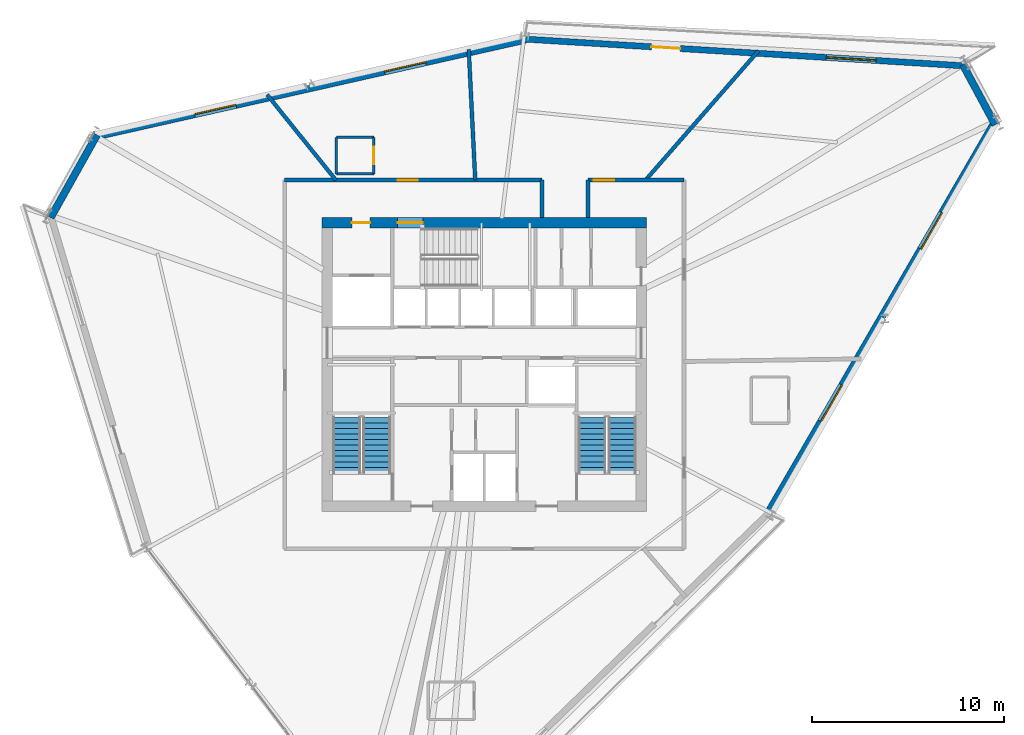
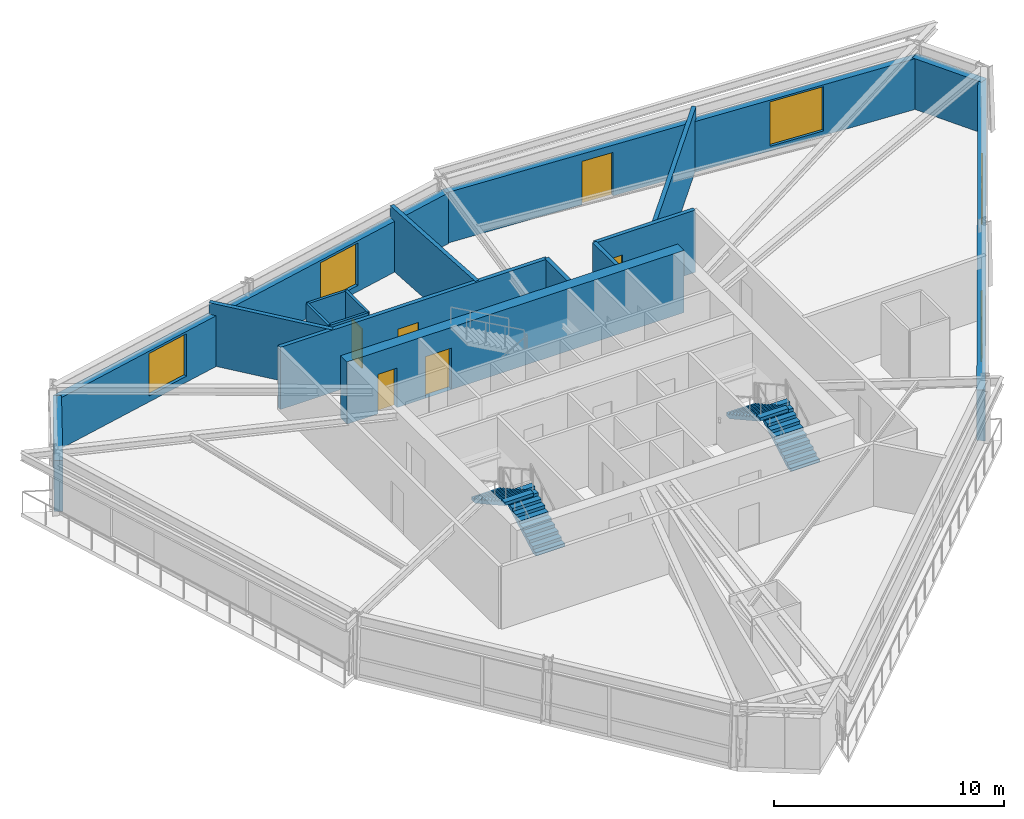
# One storey, part 10 of 14: 17 walls, 6 doors, 5 windows, 4 stair flights, 11 openings, 2 elements without a shape of their own.
"""IFC4 building model written with IfcOpenShell, lengths in metres."""

from ifc_helpers import new_model, si_unit, direction, frame, frame_2d, origin, place, context, subcontext, project, spatial, polyline, rectangle, outline, extrude, source, transform, mapped, material, layer, layer_set, type_object, type_shapes, element, fill, aggregate, save


model = new_model("IFC4")

# Units and contexts
model_context = context("Model", 3, precision=1e-05, world=origin(), true_north=direction((0.0, 1.0)))
body_context = subcontext(model_context, "Body", "Model", "MODEL_VIEW")
ifc_project = project(units=[si_unit("LENGTHUNIT", "METRE"), si_unit("AREAUNIT", "SQUARE_METRE"), si_unit("VOLUMEUNIT", "CUBIC_METRE"), si_unit("PLANEANGLEUNIT", "RADIAN"), si_unit("MASSUNIT", "GRAM", prefix="KILO")], contexts=[model_context])

# Site, building, storey
site_placement = place(None, origin())
site = spatial("IfcSite", under=ifc_project, at=site_placement, CompositionType="ELEMENT")
building_placement = place(site_placement, origin())
building = spatial("IfcBuilding", under=site, at=building_placement, Name="Olszyna Solenne Hotel", CompositionType="ELEMENT")
storey_placement = place(building_placement, frame((0.0, 0.0, 153.699951171875)))
storey = spatial("IfcBuildingStorey", under=building, at=storey_placement, Name="L40", CompositionType="ELEMENT", Elevation=153.699951171875)

# Wall, openings, doors
ifc_material_1 = material(Name="Concrete C50/60", Category="concrete")
ifc_layer_1 = layer(ifc_material_1, 0.550048828125, Name="Concrete C50/60")
ifc_layer_set_1 = layer_set([ifc_layer_1], Name="Concrete C50/60")
wall_type_1 = type_object("IfcWallType", Name="WL-CR550", PredefinedType="SHEAR", material=ifc_layer_set_1)
wall_1_placement = place(storey_placement, frame((29.550048828125, 33.97509765625, 0.0), z_axis=(0.0, 0.0, 1.0), x_axis=(1.0, 0.0, 0.0)))
wall_1 = element("IfcWall", 1, at=wall_1_placement, inside=storey, type_object=wall_type_1, Name="Core shear wall WL-CR550 CRW-L40-N", PredefinedType="SHEAR", context=body_context, shape_type="SweptSolid", body=[
    extrude(rectangle(XDim=16.89990234375, YDim=0.550048828125, at=frame_2d((8.449951171875, 0.0))), origin(), (0.0, 0.0, 1.0), 3.300048828125),
])
opening_1_placement = place(wall_1_placement, frame((1.550048828125, 0.0, 0.0)))
opening_1 = element("IfcOpeningElement", 2, at=opening_1_placement, cuts=wall_1, Name="Opening SVD-L40-01", PredefinedType="OPENING", context=body_context, shape_type="SweptSolid", body=[
    extrude(rectangle(XDim=0.949951171875, YDim=2.10009765625, at=frame_2d((0.47509765625, 1.050048828125))), frame((0.0, 0.28515625, 0.0), z_axis=(0.0, -1.0, 0.0), x_axis=(1.0, 0.0, 0.0)), (0.0, 0.0, 1.0), 0.570068359375),
])
opening_2_placement = place(wall_1_placement, frame((3.929931640625, 0.0, 0.0)))
opening_2 = element("IfcOpeningElement", 3, at=opening_2_placement, cuts=wall_1, Name="Opening STD-L40-03", PredefinedType="OPENING", context=body_context, shape_type="SweptSolid", body=[
    extrude(rectangle(XDim=1.320068359375, YDim=2.199951171875, at=frame_2d((0.66015625, 1.10009765625))), frame((0.0, 0.28515625, 0.0), z_axis=(0.0, -1.0, 0.0), x_axis=(1.0, 0.0, 0.0)), (0.0, 0.0, 1.0), 0.570068359375),
])
ifc_material_2 = material(Name="Steel S355J2", Category="steel")
door_type_1 = type_object("IfcDoorType", Name="DR-ST1", OperationType="NOTDEFINED", PredefinedType="DOOR", material=ifc_material_2)
shared_shape_1 = source(origin(), body_context, "Body", "SweptSolid", [
    extrude(rectangle(XDim=1.320068359375, YDim=2.199951171875, at=frame_2d((0.66015625, 1.10009765625))), frame((0.0, 0.02490234375, 0.0), z_axis=(0.0, -1.0, 0.0), x_axis=(1.0, 0.0, 0.0)), (0.0, 0.0, 1.0), 0.050048828125),
])
type_shapes(door_type_1, [shared_shape_1])
door_1_placement = place(opening_2_placement, origin())
door_1 = element("IfcDoor", 4, at=door_1_placement, inside=storey, type_object=door_type_1, Name="Pressurised exit stair ST3 fire door STD-L40-03", OperationType="SINGLE_SWING_RIGHT", OverallHeight=2.199951171875, OverallWidth=1.320068359375, PredefinedType="DOOR", context=body_context, shape_type="MappedRepresentation", body=[
    mapped(shared_shape_1, transform((0.0, 0.0, 0.0), x_axis=(1.0, 0.0, 0.0), y_axis=(0.0, 1.0, 0.0), z_axis=(0.0, 0.0, 1.0), scale=1.0)),
])
fill(opening_2, door_1)
door_type_2 = type_object("IfcDoorType", Name="DR-SV1", OperationType="NOTDEFINED", PredefinedType="DOOR", material=ifc_material_2)
shared_shape_2 = source(origin(), body_context, "Body", "SweptSolid", [
    extrude(rectangle(XDim=0.949951171875, YDim=2.10009765625, at=frame_2d((0.47509765625, 1.050048828125))), frame((0.0, 0.02490234375, 0.0), z_axis=(0.0, -1.0, 0.0), x_axis=(1.0, 0.0, 0.0)), (0.0, 0.0, 1.0), 0.050048828125),
])
type_shapes(door_type_2, [shared_shape_2])
door_2_placement = place(opening_1_placement, origin())
door_2 = element("IfcDoor", 5, at=door_2_placement, inside=storey, type_object=door_type_2, Name="Service lift lobby fire door SVD-L40-01", OperationType="SINGLE_SWING_LEFT", OverallHeight=2.10009765625, OverallWidth=0.949951171875, PredefinedType="DOOR", context=body_context, shape_type="MappedRepresentation", body=[
    mapped(shared_shape_2, transform((0.0, 0.0, 0.0), x_axis=(1.0, 0.0, 0.0), y_axis=(0.0, 1.0, 0.0), z_axis=(0.0, 0.0, 1.0), scale=1.0)),
])
fill(opening_1, door_2)

# Wall, openings, door, window
ifc_material_3 = material(Name="Precast concrete C45/55", Category="concrete")
ifc_layer_2 = layer(ifc_material_3, 0.320068359375, Name="Precast concrete C45/55")
ifc_layer_set_2 = layer_set([ifc_layer_2], Name="Precast concrete C45/55")
wall_type_2 = type_object("IfcWallType", Name="WL-EX320", PredefinedType="SOLIDWALL", material=ifc_layer_set_2)
wall_2_placement = place(storey_placement, frame((40.100341796875, 43.544189453125, 0.0), z_axis=(0.0, 0.0, 1.0), x_axis=(0.99815464943, -0.060723107805, 0.0)))
wall_2 = element("IfcWall", 6, at=wall_2_placement, inside=storey, type_object=wall_type_2, Name="Exterior terracotta-precast frame wall WL-EX320 EW-L40-08", PredefinedType="SOLIDWALL", context=body_context, shape_type="SweptSolid", body=[
    extrude(rectangle(XDim=23.013671875, YDim=0.320068359375, at=frame_2d((11.5068359375, 0.0))), origin(), (0.0, 0.0, 1.0), 2.692138671875),
])
opening_3_placement = place(wall_2_placement, frame((6.614013671875, 0.0, 0.0)))
opening_3 = element("IfcOpeningElement", 7, at=opening_3_placement, cuts=wall_2, Name="Opening LDG-L40-1", PredefinedType="OPENING", context=body_context, shape_type="SweptSolid", body=[
    extrude(rectangle(XDim=1.5, YDim=2.300048828125, at=frame_2d((0.75, 1.14990234375))), frame((0.0, 0.169921875, 0.0), z_axis=(0.0, -1.0, 0.0), x_axis=(1.0, 0.0, 0.0)), (0.0, 0.0, 1.0), 0.340087890625),
])
opening_4_placement = place(wall_2_placement, frame((15.72998046875, 0.0, 0.25)))
opening_4 = element("IfcOpeningElement", 8, at=opening_4_placement, cuts=wall_2, Name="Opening WN-L40-245", PredefinedType="OPENING", context=body_context, shape_type="SweptSolid", body=[
    extrude(rectangle(XDim=2.60009765625, YDim=2.35009765625, at=frame_2d((1.300048828125, 1.175048828125))), frame((0.0, 0.169921875, 0.0), z_axis=(0.0, -1.0, 0.0), x_axis=(1.0, 0.0, 0.0)), (0.0, 0.0, 1.0), 0.340087890625),
])
ifc_material_4 = material(Name="Anodised bronze aluminium", Category="aluminium")
door_type_3 = type_object("IfcDoorType", Name="DR-LG2", OperationType="DOUBLE_DOOR_SINGLE_SWING", PredefinedType="DOOR", material=ifc_material_4)
shared_shape_3 = source(origin(), body_context, "Body", "SweptSolid", [
    extrude(rectangle(XDim=1.5, YDim=2.300048828125, at=frame_2d((0.75, 1.14990234375))), frame((0.0, 0.02490234375, 0.0), z_axis=(0.0, -1.0, 0.0), x_axis=(1.0, 0.0, 0.0)), (0.0, 0.0, 1.0), 0.050048828125),
])
type_shapes(door_type_3, [shared_shape_3])
door_3_placement = place(opening_3_placement, origin())
door_3 = element("IfcDoor", 9, at=door_3_placement, inside=storey, type_object=door_type_3, Name="Exterior loggia balcony door DR-LG2 LDG-L40-1", OperationType="DOUBLE_DOOR_SINGLE_SWING", OverallHeight=2.300048828125, OverallWidth=1.5, PredefinedType="DOOR", context=body_context, shape_type="MappedRepresentation", body=[
    mapped(shared_shape_3, transform((0.0, 0.0, 0.0), x_axis=(1.0, 0.0, 0.0), y_axis=(0.0, 1.0, 0.0), z_axis=(0.0, 0.0, 1.0), scale=1.0)),
])
fill(opening_3, door_3)
ifc_material_5 = material(Name="Low-E triple glazing", Category="glass")
window_type_1 = type_object("IfcWindowType", Name="WN-ST1", PartitioningType="SINGLE_PANEL", PredefinedType="WINDOW", material=ifc_material_5)
shared_shape_4 = source(origin(), body_context, "Body", "SweptSolid", [
    extrude(rectangle(XDim=2.60009765625, YDim=2.35009765625, at=frame_2d((1.300048828125, 1.175048828125))), frame((0.0, 0.030029296875, 0.0), z_axis=(0.0, -1.0, 0.0), x_axis=(1.0, 0.0, 0.0)), (0.0, 0.0, 1.0), 0.06005859375),
])
type_shapes(window_type_1, [shared_shape_4])
window_1_placement = place(opening_4_placement, origin())
window_1 = element("IfcWindow", 10, at=window_1_placement, inside=storey, type_object=window_type_1, Name="Loggia room window WN-ST1 WN-L40-245", OverallHeight=2.35009765625, OverallWidth=2.60009765625, PartitioningType="SINGLE_PANEL", PredefinedType="WINDOW", context=body_context, shape_type="MappedRepresentation", body=[
    mapped(shared_shape_4, transform((0.0, 0.0, 0.0), x_axis=(1.0, 0.0, 0.0), y_axis=(0.0, 1.0, 0.0), z_axis=(0.0, 0.0, 1.0), scale=1.0)),
])
fill(opening_4, window_1)

# Wall
ifc_material_6 = material(Name="Terracotta cladding on precast concrete C45/55", Category="masonry")
ifc_layer_3 = layer(ifc_material_6, 0.3798828125, Name="Terracotta cladding on precast concrete C45/55")
ifc_layer_set_3 = layer_set([ifc_layer_3], Name="Terracotta cladding on precast concrete C45/55")
wall_type_3 = type_object("IfcWallType", Name="WL-EX380", PredefinedType="SOLIDWALL", material=ifc_layer_set_3)
wall_3_placement = place(storey_placement, frame((15.414306640625, 34.25244140625, 0.0), z_axis=(0.0, 0.0, 1.0), x_axis=(0.488615426152, 0.872499263797, 0.0)))
element("IfcWall", 11, at=wall_3_placement, inside=storey, type_object=wall_type_3, Name="Exterior terracotta-precast frame wall WL-EX380 EW-L40-06", PredefinedType="SOLIDWALL", context=body_context, shape_type="SweptSolid", body=[
    extrude(rectangle(XDim=4.9326171875, YDim=0.3798828125, at=frame_2d((2.46630859375, 0.0))), origin(), (0.0, 0.0, 1.0), 2.692138671875),
])

# Wall, openings, windows
wall_4_placement = place(storey_placement, frame((17.7001953125, 38.463623046875, 0.0), z_axis=(0.0, 0.0, 1.0), x_axis=(0.975581235483, 0.21963891498, 0.0)))
wall_4 = element("IfcWall", 12, at=wall_4_placement, inside=storey, type_object=wall_type_3, Name="Exterior terracotta-precast frame wall WL-EX380 EW-L40-07", PredefinedType="SOLIDWALL", context=body_context, shape_type="SweptSolid", body=[
    extrude(rectangle(XDim=23.013671875, YDim=0.3798828125, at=frame_2d((11.5068359375, 0.0))), origin(), (0.0, 0.0, 1.0), 2.692138671875),
])
opening_5_placement = place(wall_4_placement, frame((5.343994140625, 0.0, 0.322021484375)))
opening_5 = element("IfcOpeningElement", 13, at=opening_5_placement, cuts=wall_4, Name="Opening WN-L40-243", PredefinedType="OPENING", context=body_context, shape_type="SweptSolid", body=[
    extrude(rectangle(XDim=2.199951171875, YDim=2.25, at=frame_2d((1.10009765625, 1.125))), frame((0.0, 0.199951171875, 0.0), z_axis=(0.0, -1.0, 0.0), x_axis=(1.0, 0.0, 0.0)), (0.0, 0.0, 1.0), 0.39990234375),
])
opening_6_placement = place(wall_4_placement, frame((15.469970703125, 0.0, 0.322021484375)))
opening_6 = element("IfcOpeningElement", 14, at=opening_6_placement, cuts=wall_4, Name="Opening WN-L40-244", PredefinedType="OPENING", context=body_context, shape_type="SweptSolid", body=[
    extrude(rectangle(XDim=2.199951171875, YDim=2.25, at=frame_2d((1.10009765625, 1.125))), frame((0.0, 0.199951171875, 0.0), z_axis=(0.0, -1.0, 0.0), x_axis=(1.0, 0.0, 0.0)), (0.0, 0.0, 1.0), 0.39990234375),
])
window_type_2 = type_object("IfcWindowType", Name="WN-HT2", PartitioningType="SINGLE_PANEL", PredefinedType="WINDOW", material=ifc_material_5)
shared_shape_5 = source(origin(), body_context, "Body", "SweptSolid", [
    extrude(rectangle(XDim=2.199951171875, YDim=2.25, at=frame_2d((1.10009765625, 1.125))), frame((0.0, 0.030029296875, 0.0), z_axis=(0.0, -1.0, 0.0), x_axis=(1.0, 0.0, 0.0)), (0.0, 0.0, 1.0), 0.06005859375),
])
type_shapes(window_type_2, [shared_shape_5])
window_2_placement = place(opening_5_placement, origin())
window_2 = element("IfcWindow", 15, at=window_2_placement, inside=storey, type_object=window_type_2, Name="Exterior facade window WN-HT2 WN-L40-243", OverallHeight=2.25, OverallWidth=2.199951171875, PartitioningType="SINGLE_PANEL", PredefinedType="WINDOW", context=body_context, shape_type="MappedRepresentation", body=[
    mapped(shared_shape_5, transform((0.0, 0.0, 0.0), x_axis=(1.0, 0.0, 0.0), y_axis=(0.0, 1.0, 0.0), z_axis=(0.0, 0.0, 1.0), scale=1.0)),
])
fill(opening_5, window_2)
window_3_placement = place(opening_6_placement, origin())
window_3 = element("IfcWindow", 16, at=window_3_placement, inside=storey, type_object=window_type_2, Name="Exterior facade window WN-HT2 WN-L40-244", OverallHeight=2.25, OverallWidth=2.199951171875, PartitioningType="SINGLE_PANEL", PredefinedType="WINDOW", context=body_context, shape_type="MappedRepresentation", body=[
    mapped(shared_shape_5, transform((0.0, 0.0, 0.0), x_axis=(1.0, 0.0, 0.0), y_axis=(0.0, 1.0, 0.0), z_axis=(0.0, 0.0, 1.0), scale=1.0)),
])
fill(opening_6, window_3)

# Wall
wall_5_placement = place(storey_placement, frame((62.913818359375, 42.21630859375, 0.0), z_axis=(0.0, 0.0, 1.0), x_axis=(0.474144819754, -0.880446869436, 0.0)))
element("IfcWall", 17, at=wall_5_placement, inside=storey, type_object=wall_type_3, Name="Exterior terracotta-precast frame wall WL-EX380 EW-L40-09", PredefinedType="SOLIDWALL", context=body_context, shape_type="SweptSolid", body=[
    extrude(rectangle(XDim=3.55908203125, YDim=0.3798828125, at=frame_2d((1.779541015625, 0.0))), origin(), (0.0, 0.0, 1.0), 2.692138671875),
])

# Wall, openings, windows
wall_6_placement = place(storey_placement, frame((64.604248046875, 39.268310546875, 0.0), z_axis=(0.0, 0.0, 1.0), x_axis=(-0.501770576444, -0.865000744864, 0.0)))
wall_6 = element("IfcWall", 18, at=wall_6_placement, inside=storey, type_object=wall_type_3, Name="Exterior terracotta-precast frame wall WL-EX380 EW-L40-10", PredefinedType="SOLIDWALL", context=body_context, shape_type="SweptSolid", body=[
    extrude(rectangle(XDim=23.59814453125, YDim=0.3798828125, at=frame_2d((11.799072265625, 0.0))), origin(), (0.0, 0.0, 1.0), 2.692138671875),
])
opening_7_placement = place(wall_6_placement, frame((5.507080078125, 0.0, 0.322021484375)))
opening_7 = element("IfcOpeningElement", 19, at=opening_7_placement, cuts=wall_6, Name="Opening WN-L40-246", PredefinedType="OPENING", context=body_context, shape_type="SweptSolid", body=[
    extrude(rectangle(XDim=2.199951171875, YDim=2.25, at=frame_2d((1.10009765625, 1.125))), frame((0.0, 0.199951171875, 0.0), z_axis=(0.0, -1.0, 0.0), x_axis=(1.0, 0.0, 0.0)), (0.0, 0.0, 1.0), 0.39990234375),
])
opening_8_placement = place(wall_6_placement, frame((15.89111328125, 0.0, 0.322021484375)))
opening_8 = element("IfcOpeningElement", 20, at=opening_8_placement, cuts=wall_6, Name="Opening WN-L40-247", PredefinedType="OPENING", context=body_context, shape_type="SweptSolid", body=[
    extrude(rectangle(XDim=2.199951171875, YDim=2.25, at=frame_2d((1.10009765625, 1.125))), frame((0.0, 0.199951171875, 0.0), z_axis=(0.0, -1.0, 0.0), x_axis=(1.0, 0.0, 0.0)), (0.0, 0.0, 1.0), 0.39990234375),
])
window_4_placement = place(opening_7_placement, origin())
window_4 = element("IfcWindow", 21, at=window_4_placement, inside=storey, type_object=window_type_2, Name="Exterior facade window WN-HT2 WN-L40-246", OverallHeight=2.25, OverallWidth=2.199951171875, PartitioningType="SINGLE_PANEL", PredefinedType="WINDOW", context=body_context, shape_type="MappedRepresentation", body=[
    mapped(shared_shape_5, transform((0.0, 0.0, 0.0), x_axis=(1.0, 0.0, 0.0), y_axis=(0.0, 1.0, 0.0), z_axis=(0.0, 0.0, 1.0), scale=1.0)),
])
fill(opening_7, window_4)
window_5_placement = place(opening_8_placement, origin())
window_5 = element("IfcWindow", 22, at=window_5_placement, inside=storey, type_object=window_type_2, Name="Exterior facade window WN-HT2 WN-L40-247", OverallHeight=2.25, OverallWidth=2.199951171875, PartitioningType="SINGLE_PANEL", PredefinedType="WINDOW", context=body_context, shape_type="MappedRepresentation", body=[
    mapped(shared_shape_5, transform((0.0, 0.0, 0.0), x_axis=(1.0, 0.0, 0.0), y_axis=(0.0, 1.0, 0.0), z_axis=(0.0, 0.0, 1.0), scale=1.0)),
])
fill(opening_8, window_5)

# Wall, opening, door
ifc_material_7 = material(Name="Acoustic gypsum partition", Category="gypsum")
ifc_layer_4 = layer(ifc_material_7, 0.125, Name="Acoustic gypsum partition")
ifc_layer_set_4 = layer_set([ifc_layer_4], Name="Acoustic gypsum partition")
wall_type_4 = type_object("IfcWallType", Name="WL-PT125", PredefinedType="PARTITIONING", material=ifc_layer_set_4)
wall_7_placement = place(storey_placement, frame((32.239013671875, 36.530029296875, 0.0), z_axis=(0.0, 0.0, 1.0), x_axis=(0.0, 1.0, 0.0)))
wall_7 = element("IfcWall", 23, at=wall_7_placement, inside=storey, type_object=wall_type_4, Name="Interior acoustic partition WL-PT125 PW-L40-2275", PredefinedType="PARTITIONING", context=body_context, shape_type="SweptSolid", body=[
    extrude(rectangle(XDim=1.89990234375, YDim=0.125, at=frame_2d((0.949951171875, 0.0))), origin(), (0.0, 0.0, 1.0), 3.300048828125),
])
opening_9_placement = place(wall_7_placement, frame((0.5, 0.0, 0.0)))
opening_9 = element("IfcOpeningElement", 24, at=opening_9_placement, cuts=wall_7, Name="Opening DR-L40-0550", PredefinedType="OPENING", context=body_context, shape_type="SweptSolid", body=[
    extrude(rectangle(XDim=0.89990234375, YDim=2.10009765625, at=frame_2d((0.449951171875, 1.050048828125))), frame((0.0, 0.072509765625, 0.0), z_axis=(0.0, -1.0, 0.0), x_axis=(1.0, 0.0, 0.0)), (0.0, 0.0, 1.0), 0.14501953125),
])
ifc_material_8 = material(Name="Timber hardwood", Category="wood")
door_type_4 = type_object("IfcDoorType", Name="DR-WC1", OperationType="NOTDEFINED", PredefinedType="DOOR", material=ifc_material_8)
shared_shape_6 = source(origin(), body_context, "Body", "SweptSolid", [
    extrude(rectangle(XDim=0.89990234375, YDim=2.10009765625, at=frame_2d((0.449951171875, 1.050048828125))), frame((0.0, 0.02490234375, 0.0), z_axis=(0.0, -1.0, 0.0), x_axis=(1.0, 0.0, 0.0)), (0.0, 0.0, 1.0), 0.050048828125),
])
type_shapes(door_type_4, [shared_shape_6])
door_4_placement = place(opening_9_placement, origin())
door_4 = element("IfcDoor", 25, at=door_4_placement, inside=storey, type_object=door_type_4, Name="En-Suite Bathroom Door DR-L40-0550", OperationType="SINGLE_SWING_RIGHT", OverallHeight=2.10009765625, OverallWidth=0.89990234375, PredefinedType="DOOR", context=body_context, shape_type="MappedRepresentation", body=[
    mapped(shared_shape_6, transform((0.0, 0.0, 0.0), x_axis=(1.0, 0.0, 0.0), y_axis=(0.0, 1.0, 0.0), z_axis=(0.0, 0.0, 1.0), scale=1.0)),
])
fill(opening_9, door_4)

# Walls
wall_8_placement = place(storey_placement, frame((32.239013671875, 38.429931640625, 0.0), z_axis=(0.0, 0.0, 1.0), x_axis=(-1.0, 0.0, 0.0)))
element("IfcWall", 26, at=wall_8_placement, inside=storey, type_object=wall_type_4, Name="Interior acoustic partition WL-PT125 PW-L40-2276", PredefinedType="PARTITIONING", context=body_context, shape_type="SweptSolid", body=[
    extrude(rectangle(XDim=1.949951171875, YDim=0.125, at=frame_2d((0.97509765625, 0.0))), origin(), (0.0, 0.0, 1.0), 3.300048828125),
])
wall_9_placement = place(storey_placement, frame((30.2890625, 38.429931640625, 0.0), z_axis=(0.0, 0.0, 1.0), x_axis=(0.0, -1.0, 0.0)))
element("IfcWall", 27, at=wall_9_placement, inside=storey, type_object=wall_type_4, Name="Interior acoustic partition WL-PT125 PW-L40-2277", PredefinedType="PARTITIONING", context=body_context, shape_type="SweptSolid", body=[
    extrude(rectangle(XDim=1.89990234375, YDim=0.125, at=frame_2d((0.949951171875, 0.0))), origin(), (0.0, 0.0, 1.0), 3.300048828125),
])
wall_10_placement = place(storey_placement, frame((30.2890625, 36.530029296875, 0.0), z_axis=(0.0, 0.0, 1.0), x_axis=(1.0, 0.0, 0.0)))
element("IfcWall", 28, at=wall_10_placement, inside=storey, type_object=wall_type_4, Name="Interior acoustic partition WL-PT125 PW-L40-2278", PredefinedType="PARTITIONING", context=body_context, shape_type="SweptSolid", body=[
    extrude(rectangle(XDim=1.949951171875, YDim=0.125, at=frame_2d((0.97509765625, 0.0))), origin(), (0.0, 0.0, 1.0), 3.300048828125),
])
ifc_layer_5 = layer(ifc_material_7, 0.199951171875, Name="Acoustic gypsum partition")
ifc_layer_set_5 = layer_set([ifc_layer_5], Name="Acoustic gypsum partition")
wall_type_5 = type_object("IfcWallType", Name="WL-PT200", PredefinedType="PARTITIONING", material=ifc_layer_set_5)
wall_11_placement = place(storey_placement, frame((30.267578125, 36.199951171875, 0.0), z_axis=(0.0, 0.0, 1.0), x_axis=(-0.627286352214, 0.778788695556, 0.0)))
element("IfcWall", 29, at=wall_11_placement, inside=storey, type_object=wall_type_5, Name="Interior acoustic partition WL-PT200 PW-L40-2261", PredefinedType="PARTITIONING", context=body_context, shape_type="SweptSolid", body=[
    extrude(rectangle(XDim=5.71435546875, YDim=0.199951171875, at=frame_2d((2.857177734375, 0.0))), origin(), (0.0, 0.0, 1.0), 3.300048828125),
])
wall_12_placement = place(storey_placement, frame((46.389404296875, 36.199951171875, 0.0), z_axis=(0.0, 0.0, 1.0), x_axis=(0.658021279413, 0.752999333227, 0.0)))
element("IfcWall", 30, at=wall_12_placement, inside=storey, type_object=wall_type_5, Name="Interior acoustic partition WL-PT200 PW-L40-2265", PredefinedType="PARTITIONING", context=body_context, shape_type="SweptSolid", body=[
    extrude(rectangle(XDim=8.94287109375, YDim=0.199951171875, at=frame_2d((4.471435546875, 0.0))), origin(), (0.0, 0.0, 1.0), 3.300048828125),
])
wall_13_placement = place(storey_placement, frame((37.522216796875, 36.199951171875, 0.0), z_axis=(0.0, 0.0, 1.0), x_axis=(-0.049741288748, 0.998762135943, 0.0)))
element("IfcWall", 31, at=wall_13_placement, inside=storey, type_object=wall_type_5, Name="Interior acoustic partition WL-PT200 PW-L40-2266", PredefinedType="PARTITIONING", context=body_context, shape_type="SweptSolid", body=[
    extrude(rectangle(XDim=6.822509765625, YDim=0.199951171875, at=frame_2d((3.4111328125, 0.0))), origin(), (0.0, 0.0, 1.0), 3.300048828125),
])

# Wall, opening, door
wall_14_placement = place(storey_placement, frame((27.60009765625, 36.199951171875, 0.0), z_axis=(0.0, 0.0, 1.0), x_axis=(1.0, 0.0, 0.0)))
wall_14 = element("IfcWall", 32, at=wall_14_placement, inside=storey, type_object=wall_type_5, Name="Interior acoustic partition WL-PT200 PW-L40-2281", PredefinedType="PARTITIONING", context=body_context, shape_type="SweptSolid", body=[
    extrude(rectangle(XDim=13.39990234375, YDim=0.199951171875, at=frame_2d((6.699951171875, 0.0))), origin(), (0.0, 0.0, 1.0), 3.300048828125),
])
opening_10_placement = place(wall_14_placement, frame((5.882080078125, 0.0, 0.0)))
opening_10 = element("IfcOpeningElement", 33, at=opening_10_placement, cuts=wall_14, Name="Opening DR-L40-0553", PredefinedType="OPENING", context=body_context, shape_type="SweptSolid", body=[
    extrude(rectangle(XDim=1.050048828125, YDim=2.199951171875, at=frame_2d((0.52490234375, 1.10009765625))), frame((0.0, 0.10986328125, 0.0), z_axis=(0.0, -1.0, 0.0), x_axis=(1.0, 0.0, 0.0)), (0.0, 0.0, 1.0), 0.219970703125),
])
door_type_5 = type_object("IfcDoorType", Name="DR-RM2", OperationType="NOTDEFINED", PredefinedType="DOOR", material=ifc_material_8)
shared_shape_7 = source(origin(), body_context, "Body", "SweptSolid", [
    extrude(rectangle(XDim=1.050048828125, YDim=2.199951171875, at=frame_2d((0.52490234375, 1.10009765625))), frame((0.0, 0.02490234375, 0.0), z_axis=(0.0, -1.0, 0.0), x_axis=(1.0, 0.0, 0.0)), (0.0, 0.0, 1.0), 0.050048828125),
])
type_shapes(door_type_5, [shared_shape_7])
door_5_placement = place(opening_10_placement, origin())
door_5 = element("IfcDoor", 34, at=door_5_placement, inside=storey, type_object=door_type_5, Name="Executive Reading Salon Entrance Door DR-L40-0553", OperationType="SINGLE_SWING_LEFT", OverallHeight=2.199951171875, OverallWidth=1.050048828125, PredefinedType="DOOR", context=body_context, shape_type="MappedRepresentation", body=[
    mapped(shared_shape_7, transform((0.0, 0.0, 0.0), x_axis=(1.0, 0.0, 0.0), y_axis=(0.0, 1.0, 0.0), z_axis=(0.0, 0.0, 1.0), scale=1.0)),
])
fill(opening_10, door_5)

# Wall
wall_15_placement = place(storey_placement, frame((41.0, 34.25, 0.0), z_axis=(0.0, 0.0, 1.0), x_axis=(0.0, 1.0, 0.0)))
element("IfcWall", 35, at=wall_15_placement, inside=storey, type_object=wall_type_5, Name="Interior acoustic partition WL-PT200 PW-L40-2282", PredefinedType="PARTITIONING", context=body_context, shape_type="SweptSolid", body=[
    extrude(rectangle(XDim=1.949951171875, YDim=0.199951171875, at=frame_2d((0.97509765625, 0.0))), origin(), (0.0, 0.0, 1.0), 3.300048828125),
])

# Wall, opening, door
wall_16_placement = place(storey_placement, frame((43.39990234375, 36.199951171875, 0.0), z_axis=(0.0, 0.0, 1.0), x_axis=(1.0, 0.0, 0.0)))
wall_16 = element("IfcWall", 36, at=wall_16_placement, inside=storey, type_object=wall_type_5, Name="Interior acoustic partition WL-PT200 PW-L40-2283", PredefinedType="PARTITIONING", context=body_context, shape_type="SweptSolid", body=[
    extrude(rectangle(XDim=5.0, YDim=0.199951171875, at=frame_2d((2.5, 0.0))), origin(), (0.0, 0.0, 1.0), 3.300048828125),
])
opening_11_placement = place(wall_16_placement, frame((0.300048828125, 0.0, 0.0)))
opening_11 = element("IfcOpeningElement", 37, at=opening_11_placement, cuts=wall_16, Name="Opening DR-L40-0554", PredefinedType="OPENING", context=body_context, shape_type="SweptSolid", body=[
    extrude(rectangle(XDim=1.050048828125, YDim=2.199951171875, at=frame_2d((0.52490234375, 1.10009765625))), frame((0.0, 0.10986328125, 0.0), z_axis=(0.0, -1.0, 0.0), x_axis=(1.0, 0.0, 0.0)), (0.0, 0.0, 1.0), 0.219970703125),
])
door_6_placement = place(opening_11_placement, origin())
door_6 = element("IfcDoor", 38, at=door_6_placement, inside=storey, type_object=door_type_5, Name="Boutique Art Gallery Entrance Door DR-L40-0554", OperationType="SINGLE_SWING_RIGHT", OverallHeight=2.199951171875, OverallWidth=1.050048828125, PredefinedType="DOOR", context=body_context, shape_type="MappedRepresentation", body=[
    mapped(shared_shape_7, transform((0.0, 0.0, 0.0), x_axis=(1.0, 0.0, 0.0), y_axis=(0.0, 1.0, 0.0), z_axis=(0.0, 0.0, 1.0), scale=1.0)),
])
fill(opening_11, door_6)

# Wall
wall_17_placement = place(storey_placement, frame((43.39990234375, 34.25, 0.0), z_axis=(0.0, 0.0, 1.0), x_axis=(0.0, 1.0, 0.0)))
element("IfcWall", 39, at=wall_17_placement, inside=storey, type_object=wall_type_5, Name="Interior acoustic partition WL-PT200 PW-L40-2284", PredefinedType="PARTITIONING", context=body_context, shape_type="SweptSolid", body=[
    extrude(rectangle(XDim=1.949951171875, YDim=0.199951171875, at=frame_2d((0.97509765625, 0.0))), origin(), (0.0, 0.0, 1.0), 3.300048828125),
])

# Stair, stair flights
ifc_material_9 = material(Name="Concrete C40/50", Category="concrete")
stair_type = type_object("IfcStairType", Name="STR-C1", PredefinedType="TWO_QUARTER_WINDING_STAIR", material=ifc_material_9)
stair_1_placement = place(storey_placement, origin())
stair_1 = element("IfcStair", 40, at=stair_1_placement, inside=storey, type_object=stair_type, Name="L40 ST1", PredefinedType="TWO_QUARTER_WINDING_STAIR")
stair_flight_type = type_object("IfcStairFlightType", Name="FLT-C1", PredefinedType="STRAIGHT", material=ifc_material_9)
stair_flight_1_placement = place(storey_placement, frame((32.39501953125, 20.949951171875, 0.0), z_axis=(0.0, 0.0, 1.0), x_axis=(0.0, 1.0, 0.0)))
stair_flight_1 = element("IfcStairFlight", 41, at=stair_flight_1_placement, type_object=stair_flight_type, Name="ST1 flight 1", NumberOfRisers=11, NumberOfTreads=10, PredefinedType="STRAIGHT", RiserHeight=0.161363636, TreadLength=0.29, context=body_context, shape_type="SweptSolid", body=[
    extrude(outline(polyline([(0.0, 0.0), (0.0, 0.161376953125), (0.2900390625, 0.161376953125), (0.2900390625, 0.32275390625), (0.580078125, 0.32275390625), (0.580078125, 0.484130859375), (0.8701171875, 0.484130859375), (0.8701171875, 0.6455078125), (1.159912109375, 0.6455078125), (1.159912109375, 0.806884765625), (1.449951171875, 0.806884765625), (1.449951171875, 0.96826171875), (1.739990234375, 0.96826171875), (1.739990234375, 1.129638671875), (2.030029296875, 1.129638671875), (2.030029296875, 1.291015625), (2.320068359375, 1.291015625), (2.320068359375, 1.452392578125), (2.610107421875, 1.452392578125), (2.610107421875, 1.613525390625), (2.89990234375, 1.613525390625), (2.89990234375, 1.77490234375), (2.89990234375, 1.442138671875), (0.308349609375, 0.0), (0.0, 0.0)])), frame((0.0, 0.72509765625, 0.0), z_axis=(0.0, -1.0, 0.0), x_axis=(1.0, 0.0, 0.0)), (0.0, 0.0, 1.0), 1.449951171875),
])
stair_flight_2_placement = place(storey_placement, frame((30.824951171875, 23.85009765625, 1.775146484375), z_axis=(0.0, 0.0, 1.0), x_axis=(0.0, -1.0, 0.0)))
stair_flight_2 = element("IfcStairFlight", 42, at=stair_flight_2_placement, type_object=stair_flight_type, Name="ST1 flight 2", NumberOfRisers=11, NumberOfTreads=10, PredefinedType="STRAIGHT", RiserHeight=0.161363636, TreadLength=0.29, context=body_context, shape_type="SweptSolid", body=[
    extrude(outline(polyline([(0.0, 0.0), (0.0, 0.161376953125), (0.2900390625, 0.161376953125), (0.2900390625, 0.32275390625), (0.580078125, 0.32275390625), (0.580078125, 0.484130859375), (0.8701171875, 0.484130859375), (0.8701171875, 0.6455078125), (1.159912109375, 0.6455078125), (1.159912109375, 0.806884765625), (1.449951171875, 0.806884765625), (1.449951171875, 0.96826171875), (1.739990234375, 0.96826171875), (1.739990234375, 1.129638671875), (2.030029296875, 1.129638671875), (2.030029296875, 1.291015625), (2.320068359375, 1.291015625), (2.320068359375, 1.452392578125), (2.610107421875, 1.452392578125), (2.610107421875, 1.613525390625), (2.89990234375, 1.613525390625), (2.89990234375, 1.77490234375), (2.89990234375, 1.442138671875), (0.308349609375, 0.0), (0.0, 0.0)])), frame((0.0, 0.72509765625, 0.0), z_axis=(0.0, -1.0, 0.0), x_axis=(1.0, 0.0, 0.0)), (0.0, 0.0, 1.0), 1.449951171875),
])
aggregate(stair_1, [stair_flight_1, stair_flight_2])

stair_2_placement = place(storey_placement, origin())
stair_2 = element("IfcStair", 43, at=stair_2_placement, inside=storey, type_object=stair_type, Name="L40 ST2", PredefinedType="TWO_QUARTER_WINDING_STAIR")
stair_flight_3_placement = place(storey_placement, frame((45.175048828125, 20.949951171875, 0.0), z_axis=(0.0, 0.0, 1.0), x_axis=(0.0, 1.0, 0.0)))
stair_flight_3 = element("IfcStairFlight", 44, at=stair_flight_3_placement, type_object=stair_flight_type, Name="ST2 flight 1", NumberOfRisers=11, NumberOfTreads=10, PredefinedType="STRAIGHT", RiserHeight=0.161363636, TreadLength=0.29, context=body_context, shape_type="SweptSolid", body=[
    extrude(outline(polyline([(0.0, 0.0), (0.0, 0.161376953125), (0.2900390625, 0.161376953125), (0.2900390625, 0.32275390625), (0.580078125, 0.32275390625), (0.580078125, 0.484130859375), (0.8701171875, 0.484130859375), (0.8701171875, 0.6455078125), (1.159912109375, 0.6455078125), (1.159912109375, 0.806884765625), (1.449951171875, 0.806884765625), (1.449951171875, 0.96826171875), (1.739990234375, 0.96826171875), (1.739990234375, 1.129638671875), (2.030029296875, 1.129638671875), (2.030029296875, 1.291015625), (2.320068359375, 1.291015625), (2.320068359375, 1.452392578125), (2.610107421875, 1.452392578125), (2.610107421875, 1.613525390625), (2.89990234375, 1.613525390625), (2.89990234375, 1.77490234375), (2.89990234375, 1.442138671875), (0.308349609375, 0.0), (0.0, 0.0)])), frame((0.0, 0.72509765625, 0.0), z_axis=(0.0, -1.0, 0.0), x_axis=(1.0, 0.0, 0.0)), (0.0, 0.0, 1.0), 1.449951171875),
])
stair_flight_4_placement = place(storey_placement, frame((43.60498046875, 23.85009765625, 1.775146484375), z_axis=(0.0, 0.0, 1.0), x_axis=(0.0, -1.0, 0.0)))
stair_flight_4 = element("IfcStairFlight", 45, at=stair_flight_4_placement, type_object=stair_flight_type, Name="ST2 flight 2", NumberOfRisers=11, NumberOfTreads=10, PredefinedType="STRAIGHT", RiserHeight=0.161363636, TreadLength=0.29, context=body_context, shape_type="SweptSolid", body=[
    extrude(outline(polyline([(0.0, 0.0), (0.0, 0.161376953125), (0.2900390625, 0.161376953125), (0.2900390625, 0.32275390625), (0.580078125, 0.32275390625), (0.580078125, 0.484130859375), (0.8701171875, 0.484130859375), (0.8701171875, 0.6455078125), (1.159912109375, 0.6455078125), (1.159912109375, 0.806884765625), (1.449951171875, 0.806884765625), (1.449951171875, 0.96826171875), (1.739990234375, 0.96826171875), (1.739990234375, 1.129638671875), (2.030029296875, 1.129638671875), (2.030029296875, 1.291015625), (2.320068359375, 1.291015625), (2.320068359375, 1.452392578125), (2.610107421875, 1.452392578125), (2.610107421875, 1.613525390625), (2.89990234375, 1.613525390625), (2.89990234375, 1.77490234375), (2.89990234375, 1.442138671875), (0.308349609375, 0.0), (0.0, 0.0)])), frame((0.0, 0.72509765625, 0.0), z_axis=(0.0, -1.0, 0.0), x_axis=(1.0, 0.0, 0.0)), (0.0, 0.0, 1.0), 1.449951171875),
])
aggregate(stair_2, [stair_flight_3, stair_flight_4])

save(model, "model.ifc")
